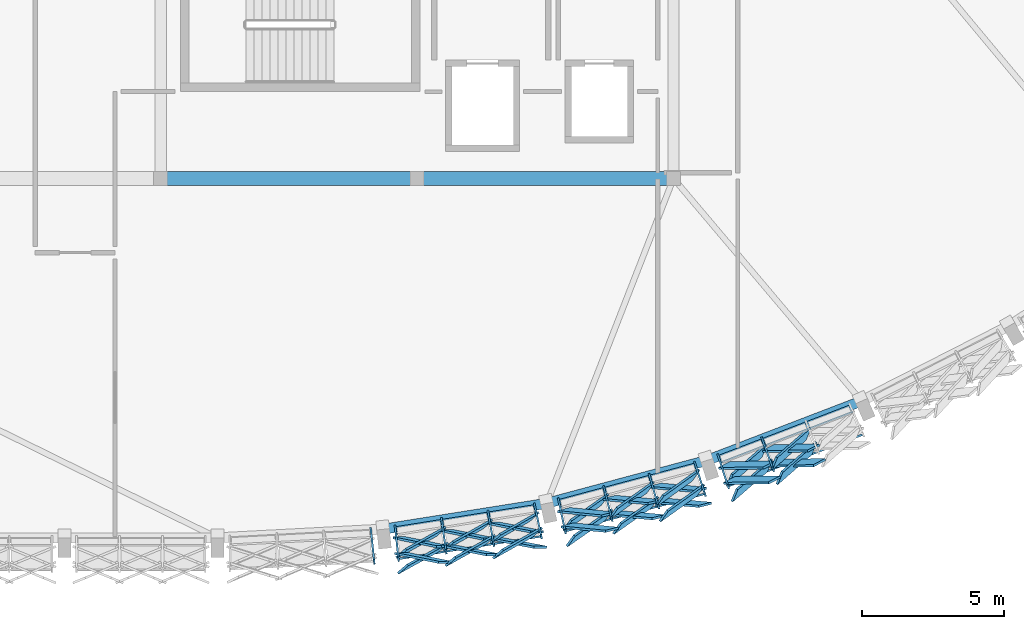
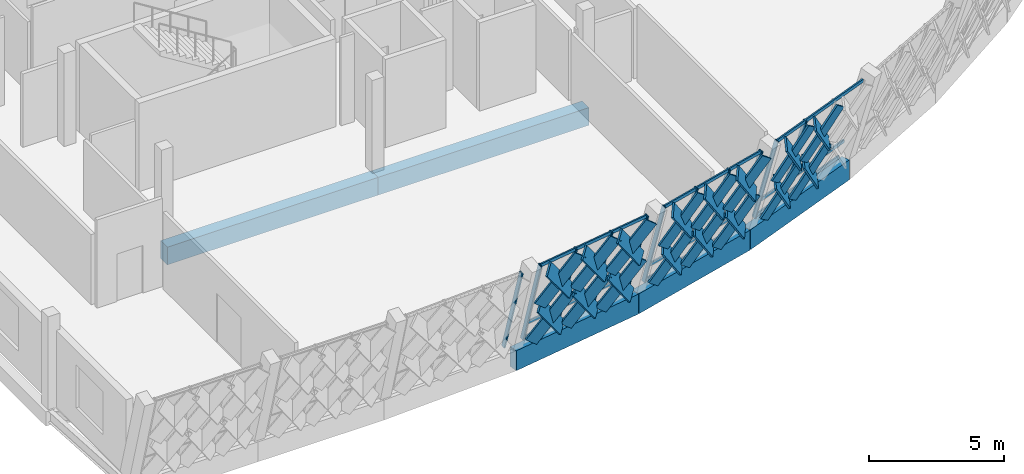
# One storey, part 4 of 24: 52 members, 5 beams, 4 elements without a shape of their own.
"""IFC4 building model written with IfcOpenShell, lengths in metres."""

from ifc_helpers import new_model, si_unit, direction, frame, origin, origin_2d, place, context, subcontext, project, spatial, rectangle, hollow_rectangle, extrude, material, material_profile, profile_set, type_object, element, aggregate, save


model = new_model("IFC4")

# Units and contexts
model_context = context("Model", 3, precision=1e-05, world=origin(), true_north=direction((0.0, 1.0)))
body_context = subcontext(model_context, "Body", "Model", "MODEL_VIEW")
ifc_project = project(units=[si_unit("LENGTHUNIT", "METRE"), si_unit("AREAUNIT", "SQUARE_METRE"), si_unit("VOLUMEUNIT", "CUBIC_METRE"), si_unit("PLANEANGLEUNIT", "RADIAN"), si_unit("MASSUNIT", "GRAM", prefix="KILO")], contexts=[model_context])

# Site, building, storey
site_placement = place(None, origin())
site = spatial("IfcSite", under=ifc_project, at=site_placement, CompositionType="ELEMENT")
building_placement = place(site_placement, origin())
building = spatial("IfcBuilding", under=site, at=building_placement, Name="Chiffa Square Polytechnic", CompositionType="ELEMENT")
storey_placement = place(building_placement, frame((0.0, 0.0, 22.199951171875)))
storey = spatial("IfcBuildingStorey", under=building, at=storey_placement, Name="L05", CompositionType="ELEMENT", Elevation=22.199951171875)

# Beams
ifc_material_1 = material(Name="Concrete C40/50", Category="concrete")
ifc_material_profile_1 = material_profile(ifc_material_1, rectangle(XDim=0.5, YDim=0.800048828125, at=origin_2d()), Name="RC 500x800")
ifc_profile_set_1 = profile_set([ifc_material_profile_1], Name="Concrete C40/50")
beam_type_1 = type_object("IfcBeamType", Name="BM-RC-500X800", PredefinedType="BEAM", material=ifc_profile_set_1)
for number, where, z_axis, x_axis, name in (
    (1, (121.199951171875, 14.39990234375, -0.659912109375), (1.0, 0.0, 0.0), (0.0, 1.0, 0.0), "Primary floor girder BM-V1-L05-X-1212-0144"),
    (2, (130.199951171875, 14.39990234375, -0.659912109375), (1.0, 0.0, 0.0), (0.0, 1.0, 0.0), "Primary floor girder BM-V1-L05-X-1302-0144"),
):
    element("IfcBeam", number, at=place(storey_placement, frame(where, z_axis=z_axis, x_axis=x_axis)), inside=storey, type_object=beam_type_1, Name=name, PredefinedType="BEAM", context=body_context, shape_type="SweptSolid", body=[
        extrude(rectangle(XDim=0.5, YDim=0.800048828125, at=origin_2d()), origin(), (0.0, 0.0, 1.0), 9.0),
    ])

# Curtain wall, member
ifc_material_2 = material(Name="Aluminium EN AW-6060 T66 and glulam shading", Category="wood")
curtain_wall_type_1 = type_object("IfcCurtainWallType", Name="CW-PROW-LEAN-150", PredefinedType="USERDEFINED", material=ifc_material_2)
curtain_wall_1_placement = place(storey_placement, origin())
curtain_wall_1 = element("IfcCurtainWall", 3, at=curtain_wall_1_placement, inside=storey, type_object=curtain_wall_type_1, Name="Outward-leaning diamond-fin prow curtain wall CW-V1-L05-080", ObjectType="CURTAIN WALL", PredefinedType="USERDEFINED")
ifc_material_3 = material(Name="Aluminium EN AW-6060 T66", Category="aluminium")
ifc_material_profile_2 = material_profile(ifc_material_3, hollow_rectangle(XDim=0.06494140625, YDim=0.179931640625, WallThickness=0.00390625, at=origin_2d()), Name="ALU 65x180x4")
ifc_profile_set_2 = profile_set([ifc_material_profile_2], Name="Aluminium EN AW-6060 T66")
member_type_1 = type_object("IfcMemberType", Name="CWM-ALU-75X180", PredefinedType="MULLION", material=ifc_profile_set_2)
member_1_placement = place(storey_placement, frame((128.5791015625, 2.06689453125, 0.0), z_axis=(0.0285073221, -0.270967113373, 0.962166386888), x_axis=(0.994511386171, 0.104628403294, 0.0)))
member_1 = element("IfcMember", 4, at=member_1_placement, type_object=member_type_1, Name="Leaning prow mullion CW-V1-L05-080-M03", PredefinedType="MULLION", context=body_context, shape_type="SweptSolid", body=[
    extrude(hollow_rectangle(XDim=0.06494140625, YDim=0.179931640625, WallThickness=0.00390625, at=origin_2d()), origin(), (0.0, 0.0, 1.0), 4.136474609375),
])
aggregate(curtain_wall_1, [member_1])

# Curtain wall, members
curtain_wall_type_2 = type_object("IfcCurtainWallType", Name="CW-PROW-LEAN-300", PredefinedType="USERDEFINED", material=ifc_material_2)
curtain_wall_2_placement = place(storey_placement, origin())
curtain_wall_2 = element("IfcCurtainWall", 5, at=curtain_wall_2_placement, inside=storey, type_object=curtain_wall_type_2, Name="Outward-leaning diamond-fin prow curtain wall CW-V1-L05-081", ObjectType="CURTAIN WALL", PredefinedType="USERDEFINED")
member_2_placement = place(storey_placement, frame((129.43310546875, 2.156005859375, 0.0), z_axis=(0.028508689491, -0.270803038064, 0.962212538475), x_axis=(0.99450426512, 0.104696068015, 0.0)))
member_2 = element("IfcMember", 6, at=member_2_placement, type_object=member_type_1, Name="Leaning prow mullion CW-V1-L05-081-M00", PredefinedType="MULLION", context=body_context, shape_type="SweptSolid", body=[
    extrude(hollow_rectangle(XDim=0.06494140625, YDim=0.179931640625, WallThickness=0.00390625, at=origin_2d()), origin(), (0.0, 0.0, 1.0), 4.13623046875),
])
member_3_placement = place(storey_placement, frame((131.064697265625, 2.414794921875, 0.0), z_axis=(0.03783788705, -0.269351448686, 0.96229833804), x_axis=(0.99027667576, 0.139111845094, 0.0)))
member_3 = element("IfcMember", 7, at=member_3_placement, type_object=member_type_1, Name="Leaning prow mullion CW-V1-L05-081-M01", PredefinedType="MULLION", context=body_context, shape_type="SweptSolid", body=[
    extrude(hollow_rectangle(XDim=0.06494140625, YDim=0.179931640625, WallThickness=0.00390625, at=origin_2d()), origin(), (0.0, 0.0, 1.0), 4.135986328125),
])
member_4_placement = place(storey_placement, frame((132.6962890625, 2.67333984375, 0.0), z_axis=(0.047222694052, -0.267929760375, 0.962280448036), x_axis=(0.984820668556, 0.173574914044, 0.0)))
member_4 = element("IfcMember", 8, at=member_4_placement, type_object=member_type_1, Name="Leaning prow mullion CW-V1-L05-081-M02", PredefinedType="MULLION", context=body_context, shape_type="SweptSolid", body=[
    extrude(hollow_rectangle(XDim=0.06494140625, YDim=0.179931640625, WallThickness=0.00390625, at=origin_2d()), origin(), (0.0, 0.0, 1.0), 4.135986328125),
])
member_5_placement = place(storey_placement, frame((134.327880859375, 2.931884765625, 0.0), z_axis=(0.056603833215, -0.266374451824, 0.962206140846), x_axis=(0.978159401763, 0.207856163592, 0.0)))
member_5 = element("IfcMember", 9, at=member_5_placement, type_object=member_type_1, Name="Leaning prow mullion CW-V1-L05-081-M03", PredefinedType="MULLION", context=body_context, shape_type="SweptSolid", body=[
    extrude(hollow_rectangle(XDim=0.06494140625, YDim=0.179931640625, WallThickness=0.00390625, at=origin_2d()), origin(), (0.0, 0.0, 1.0), 4.13623046875),
])

curtain_wall_3_placement = place(storey_placement, origin())
curtain_wall_3 = element("IfcCurtainWall", 10, at=curtain_wall_3_placement, inside=storey, type_object=curtain_wall_type_1, Name="Outward-leaning diamond-fin prow curtain wall CW-V1-L05-082", ObjectType="CURTAIN WALL", PredefinedType="USERDEFINED")
member_6_placement = place(storey_placement, frame((135.16796875, 3.110107421875, 0.0), z_axis=(0.056602943187, -0.266429286285, 0.962191011303), x_axis=(0.978168762973, 0.207812105381, 0.0)))
member_6 = element("IfcMember", 11, at=member_6_placement, type_object=member_type_1, Name="Leaning prow mullion CW-V1-L05-082-M00", PredefinedType="MULLION", context=body_context, shape_type="SweptSolid", body=[
    extrude(hollow_rectangle(XDim=0.06494140625, YDim=0.179931640625, WallThickness=0.00390625, at=origin_2d()), origin(), (0.0, 0.0, 1.0), 4.136474609375),
])
member_7_placement = place(storey_placement, frame((136.763916015625, 3.53759765625, 0.0), z_axis=(0.065758940041, -0.2639212037, 0.962300036393), x_axis=(0.970333693343, 0.241769567073, 0.0)))
member_7 = element("IfcMember", 12, at=member_7_placement, type_object=member_type_1, Name="Leaning prow mullion CW-V1-L05-082-M01", PredefinedType="MULLION", context=body_context, shape_type="SweptSolid", body=[
    extrude(hollow_rectangle(XDim=0.06494140625, YDim=0.179931640625, WallThickness=0.00390625, at=origin_2d()), origin(), (0.0, 0.0, 1.0), 4.135986328125),
])
member_8_placement = place(storey_placement, frame((138.360107421875, 3.96533203125, 0.0), z_axis=(0.074909102074, -0.261443981943, 0.962307472034), x_axis=(0.961318915449, 0.275437729443, 0.0)))
member_8 = element("IfcMember", 13, at=member_8_placement, type_object=member_type_1, Name="Leaning prow mullion CW-V1-L05-082-M02", PredefinedType="MULLION", context=body_context, shape_type="SweptSolid", body=[
    extrude(hollow_rectangle(XDim=0.06494140625, YDim=0.179931640625, WallThickness=0.00390625, at=origin_2d()), origin(), (0.0, 0.0, 1.0), 4.135986328125),
])
member_9_placement = place(storey_placement, frame((139.9560546875, 4.39306640625, 0.0), z_axis=(0.084110460344, -0.258942168089, 0.96222366633), x_axis=(0.951083445359, 0.308934102949, 0.0)))
member_9 = element("IfcMember", 14, at=member_9_placement, type_object=member_type_1, Name="Leaning prow mullion CW-V1-L05-082-M03", PredefinedType="MULLION", context=body_context, shape_type="SweptSolid", body=[
    extrude(hollow_rectangle(XDim=0.06494140625, YDim=0.179931640625, WallThickness=0.00390625, at=origin_2d()), origin(), (0.0, 0.0, 1.0), 4.13623046875),
])

curtain_wall_4_placement = place(storey_placement, origin())
curtain_wall_4 = element("IfcCurtainWall", 15, at=curtain_wall_4_placement, inside=storey, type_object=curtain_wall_type_2, Name="Outward-leaning diamond-fin prow curtain wall CW-V1-L05-083", ObjectType="CURTAIN WALL", PredefinedType="USERDEFINED")
member_10_placement = place(storey_placement, frame((140.77197265625, 4.657958984375, 0.0), z_axis=(0.084169067216, -0.258940882101, 0.962218887624), x_axis=(0.951019729993, 0.309130188049, 0.0)))
member_10 = element("IfcMember", 16, at=member_10_placement, type_object=member_type_1, Name="Leaning prow mullion CW-V1-L05-083-M00", PredefinedType="MULLION", context=body_context, shape_type="SweptSolid", body=[
    extrude(hollow_rectangle(XDim=0.06494140625, YDim=0.179931640625, WallThickness=0.00390625, at=origin_2d()), origin(), (0.0, 0.0, 1.0), 4.13623046875),
])
member_11_placement = place(storey_placement, frame((142.314697265625, 5.25, 0.0), z_axis=(0.092974588918, -0.255488267199, 0.962331268919), x_axis=(0.939710984281, 0.341969685823, 0.0)))
member_11 = element("IfcMember", 17, at=member_11_placement, type_object=member_type_1, Name="Leaning prow mullion CW-V1-L05-083-M01", PredefinedType="MULLION", context=body_context, shape_type="SweptSolid", body=[
    extrude(hollow_rectangle(XDim=0.06494140625, YDim=0.179931640625, WallThickness=0.00390625, at=origin_2d()), origin(), (0.0, 0.0, 1.0), 4.1357421875),
])

# Member
ifc_material_4 = material(Name="Glulam GL28h", Category="wood")
ifc_material_profile_3 = material_profile(ifc_material_4, rectangle(XDim=0.080078125, YDim=0.580078125, at=origin_2d()), Name="GL28h 80x580")
ifc_profile_set_3 = profile_set([ifc_material_profile_3], Name="Glulam GL28h")
member_type_2 = type_object("IfcMemberType", Name="CWM-GL-80X580", PredefinedType="MULLION", material=ifc_profile_set_3)
member_12_placement = place(storey_placement, frame((129.5830078125, 1.7890625, 0.0400390625), z_axis=(0.61185317054, -0.126593682034, 0.78077508757), x_axis=(0.080509435449, 0.991949948876, 0.097742159424)))
member_12 = element("IfcMember", 18, at=member_12_placement, type_object=member_type_2, Name="Diamond glulam fin CW-V1-L05-081-DF01A", PredefinedType="MULLION", context=body_context, shape_type="SweptSolid", body=[
    extrude(rectangle(XDim=0.080078125, YDim=0.580078125, at=origin_2d()), origin(), (0.0, 0.0, 1.0), 2.49755859375),
])

member_13_placement = place(storey_placement, frame((131.034912109375, 2.01904296875, 0.0400390625), z_axis=(-0.552760060017, -0.309177449871, 0.773864084024), x_axis=(0.587805398803, -0.802912421224, 0.099078034812)))
member_13 = element("IfcMember", 19, at=member_13_placement, type_object=member_type_2, Name="Diamond glulam fin CW-V1-L05-081-DF01B", PredefinedType="MULLION", context=body_context, shape_type="SweptSolid", body=[
    extrude(rectangle(XDim=0.080078125, YDim=0.580078125, at=origin_2d()), origin(), (0.0, 0.0, 1.0), 2.519775390625),
])

member_14_placement = place(storey_placement, frame((129.64208984375, 1.239990234375, 1.989990234375), z_axis=(0.616144957155, -0.124825827287, 0.777678535524), x_axis=(0.076879851193, 0.992178341942, 0.098344426696)))
member_14 = element("IfcMember", 20, at=member_14_placement, type_object=member_type_2, Name="Diamond glulam fin CW-V1-L05-081-DF02A", PredefinedType="MULLION", context=body_context, shape_type="SweptSolid", body=[
    extrude(rectangle(XDim=0.080078125, YDim=0.580078125, at=origin_2d()), origin(), (0.0, 0.0, 1.0), 2.50732421875),
])

member_15_placement = place(storey_placement, frame((131.111083984375, 1.472900390625, 1.989990234375), z_axis=(-0.557577023179, -0.308982561461, 0.770478838085), x_axis=(0.584161618653, -0.805487931951, 0.099721586299)))
member_15 = element("IfcMember", 21, at=member_15_placement, type_object=member_type_2, Name="Diamond glulam fin CW-V1-L05-081-DF02B", PredefinedType="MULLION", context=body_context, shape_type="SweptSolid", body=[
    extrude(rectangle(XDim=0.080078125, YDim=0.580078125, at=origin_2d()), origin(), (0.0, 0.0, 1.0), 2.53076171875),
])

member_16_placement = place(storey_placement, frame((131.215087890625, 2.047119140625, 0.0400390625), z_axis=(0.61665774428, -0.124382670011, 0.777343024552), x_axis=(0.076085655893, 0.992233127416, 0.098409317778)))
member_16 = element("IfcMember", 22, at=member_16_placement, type_object=member_type_2, Name="Diamond glulam fin CW-V1-L05-081-DF03A", PredefinedType="MULLION", context=body_context, shape_type="SweptSolid", body=[
    extrude(rectangle(XDim=0.080078125, YDim=0.580078125, at=origin_2d()), origin(), (0.0, 0.0, 1.0), 2.508544921875),
])

member_17_placement = place(storey_placement, frame((132.6669921875, 2.278076171875, 0.0400390625), z_axis=(-0.547745089017, -0.309396168796, 0.777334759413), x_axis=(0.591641148743, -0.800172508173, 0.098410915443)))
member_17 = element("IfcMember", 23, at=member_17_placement, type_object=member_type_2, Name="Diamond glulam fin CW-V1-L05-081-DF03B", PredefinedType="MULLION", context=body_context, shape_type="SweptSolid", body=[
    extrude(rectangle(XDim=0.080078125, YDim=0.580078125, at=origin_2d()), origin(), (0.0, 0.0, 1.0), 2.508544921875),
])

member_18_placement = place(storey_placement, frame((131.29296875, 1.501953125, 1.989990234375), z_axis=(0.620912803165, -0.123096980958, 0.774154005444), x_axis=(0.073280250603, 0.992383258069, 0.099022593262)))
member_18 = element("IfcMember", 24, at=member_18_placement, type_object=member_type_2, Name="Diamond glulam fin CW-V1-L05-081-DF04A", PredefinedType="MULLION", context=body_context, shape_type="SweptSolid", body=[
    extrude(rectangle(XDim=0.080078125, YDim=0.580078125, at=origin_2d()), origin(), (0.0, 0.0, 1.0), 2.518798828125),
])

member_19_placement = place(storey_placement, frame((132.761962890625, 1.735107421875, 1.989990234375), z_axis=(-0.552490828758, -0.309243682611, 0.774029863057), x_axis=(0.588067973548, -0.802724037985, 0.0990463393)))
member_19 = element("IfcMember", 25, at=member_19_placement, type_object=member_type_2, Name="Diamond glulam fin CW-V1-L05-081-DF04B", PredefinedType="MULLION", context=body_context, shape_type="SweptSolid", body=[
    extrude(rectangle(XDim=0.080078125, YDim=0.580078125, at=origin_2d()), origin(), (0.0, 0.0, 1.0), 2.519287109375),
])

member_20_placement = place(storey_placement, frame((132.846923828125, 2.305908203125, 0.0400390625), z_axis=(0.621455796674, -0.122934903504, 0.773743951369), x_axis=(0.072928707462, 0.992401328547, 0.099100992558)))
member_20 = element("IfcMember", 26, at=member_20_placement, type_object=member_type_2, Name="Diamond glulam fin CW-V1-L05-081-DF05A", PredefinedType="MULLION", context=body_context, shape_type="SweptSolid", body=[
    extrude(rectangle(XDim=0.080078125, YDim=0.580078125, at=origin_2d()), origin(), (0.0, 0.0, 1.0), 2.520263671875),
])

member_21_placement = place(storey_placement, frame((134.299072265625, 2.535888671875, 0.0400390625), z_axis=(-0.542611894301, -0.309533199524, 0.780872288249), x_axis=(0.59550313859, -0.797387106019, 0.097723155317)))
member_21 = element("IfcMember", 27, at=member_21_placement, type_object=member_type_2, Name="Diamond glulam fin CW-V1-L05-081-DF05B", PredefinedType="MULLION", context=body_context, shape_type="SweptSolid", body=[
    extrude(rectangle(XDim=0.080078125, YDim=0.580078125, at=origin_2d()), origin(), (0.0, 0.0, 1.0), 2.4970703125),
])

member_22_placement = place(storey_placement, frame((132.944091796875, 1.762939453125, 1.989990234375), z_axis=(0.625621410597, -0.121284101345, 0.770641302659), x_axis=(0.069623942357, 0.992579588269, 0.099690860174)))
member_22 = element("IfcMember", 28, at=member_22_placement, type_object=member_type_2, Name="Diamond glulam fin CW-V1-L05-081-DF06A", PredefinedType="MULLION", context=body_context, shape_type="SweptSolid", body=[
    extrude(rectangle(XDim=0.080078125, YDim=0.580078125, at=origin_2d()), origin(), (0.0, 0.0, 1.0), 2.5302734375),
])

member_23_placement = place(storey_placement, frame((134.4130859375, 1.99609375, 1.989990234375), z_axis=(-0.54753844192, -0.309109984548, 0.777594156404), x_axis=(0.59148869902, -0.800291372677, 0.098360753103)))
member_23 = element("IfcMember", 29, at=member_23_placement, type_object=member_type_2, Name="Diamond glulam fin CW-V1-L05-081-DF06B", PredefinedType="MULLION", context=body_context, shape_type="SweptSolid", body=[
    extrude(rectangle(XDim=0.080078125, YDim=0.580078125, at=origin_2d()), origin(), (0.0, 0.0, 1.0), 2.507568359375),
])

member_24_placement = place(storey_placement, frame((135.35498046875, 2.760009765625, 0.0400390625), z_axis=(0.621799371198, -0.061681402802, 0.780743841811), x_axis=(-0.10573427989, 0.981155341823, 0.161723397404)))
member_24 = element("IfcMember", 30, at=member_24_placement, type_object=member_type_2, Name="Diamond glulam fin CW-V1-L05-082-DF01A", PredefinedType="MULLION", context=body_context, shape_type="SweptSolid", body=[
    extrude(rectangle(XDim=0.080078125, YDim=0.580078125, at=origin_2d()), origin(), (0.0, 0.0, 1.0), 2.49755859375),
])

member_25_placement = place(storey_placement, frame((136.77587890625, 3.14111328125, 0.0400390625), z_axis=(-0.517770432586, -0.365103229264, 0.773701112266), x_axis=(0.720298118808, -0.67400505707, 0.163975007503)))
member_25 = element("IfcMember", 31, at=member_25_placement, type_object=member_type_2, Name="Diamond glulam fin CW-V1-L05-082-DF01B", PredefinedType="MULLION", context=body_context, shape_type="SweptSolid", body=[
    extrude(rectangle(XDim=0.080078125, YDim=0.580078125, at=origin_2d()), origin(), (0.0, 0.0, 1.0), 2.520263671875),
])

member_26_placement = place(storey_placement, frame((135.470947265625, 2.220947265625, 1.989990234375), z_axis=(0.625795615254, -0.059785048664, 0.777692481567), x_axis=(-0.108508375155, 0.980690026034, 0.162705271454)))
member_26 = element("IfcMember", 32, at=member_26_placement, type_object=member_type_2, Name="Diamond glulam fin CW-V1-L05-082-DF02A", PredefinedType="MULLION", context=body_context, shape_type="SweptSolid", body=[
    extrude(rectangle(XDim=0.080078125, YDim=0.580078125, at=origin_2d()), origin(), (0.0, 0.0, 1.0), 2.50732421875),
])

member_27_placement = place(storey_placement, frame((136.907958984375, 2.60595703125, 1.989990234375), z_axis=(-0.522058985372, -0.365566715131, 0.770594181513), x_axis=(0.717422479224, -0.676827730608, 0.164952142708)))
member_27 = element("IfcMember", 33, at=member_27_placement, type_object=member_type_2, Name="Diamond glulam fin CW-V1-L05-082-DF02B", PredefinedType="MULLION", context=body_context, shape_type="SweptSolid", body=[
    extrude(rectangle(XDim=0.080078125, YDim=0.580078125, at=origin_2d()), origin(), (0.0, 0.0, 1.0), 2.530517578125),
])

member_28_placement = place(storey_placement, frame((136.951904296875, 3.18798828125, 0.0400390625), z_axis=(0.626283692932, -0.059367995756, 0.777331446068), x_axis=(-0.109134876217, 0.980601328524, 0.162820801159)))
member_28 = element("IfcMember", 34, at=member_28_placement, type_object=member_type_2, Name="Diamond glulam fin CW-V1-L05-082-DF03A", PredefinedType="MULLION", context=body_context, shape_type="SweptSolid", body=[
    extrude(rectangle(XDim=0.080078125, YDim=0.580078125, at=origin_2d()), origin(), (0.0, 0.0, 1.0), 2.508544921875),
])

member_29_placement = place(storey_placement, frame((138.3720703125, 3.569091796875, 0.0400390625), z_axis=(-0.512589383456, -0.365078847138, 0.777154784673), x_axis=(0.724194660644, -0.67008438596, 0.162877282603)))
member_29 = element("IfcMember", 35, at=member_29_placement, type_object=member_type_2, Name="Diamond glulam fin CW-V1-L05-082-DF03B", PredefinedType="MULLION", context=body_context, shape_type="SweptSolid", body=[
    extrude(rectangle(XDim=0.080078125, YDim=0.580078125, at=origin_2d()), origin(), (0.0, 0.0, 1.0), 2.509033203125),
])

member_30_placement = place(storey_placement, frame((137.0859375, 2.653076171875, 1.989990234375), z_axis=(0.630468900948, -0.057183190094, 0.774105320811), x_axis=(-0.112283349703, 0.980074770616, 0.163847164703)))
member_30 = element("IfcMember", 36, at=member_30_placement, type_object=member_type_2, Name="Diamond glulam fin CW-V1-L05-082-DF04A", PredefinedType="MULLION", context=body_context, shape_type="SweptSolid", body=[
    extrude(rectangle(XDim=0.080078125, YDim=0.580078125, at=origin_2d()), origin(), (0.0, 0.0, 1.0), 2.51904296875),
])

member_31_placement = place(storey_placement, frame((138.52294921875, 3.0390625, 1.989990234375), z_axis=(-0.517202886928, -0.365249705983, 0.774011515439), x_axis=(0.720839150137, -0.673450293816, 0.163876848239)))
member_31 = element("IfcMember", 37, at=member_31_placement, type_object=member_type_2, Name="Diamond glulam fin CW-V1-L05-082-DF04B", PredefinedType="MULLION", context=body_context, shape_type="SweptSolid", body=[
    extrude(rectangle(XDim=0.080078125, YDim=0.580078125, at=origin_2d()), origin(), (0.0, 0.0, 1.0), 2.519287109375),
])

member_32_placement = place(storey_placement, frame((138.548095703125, 3.615966796875, 0.0400390625), z_axis=(0.630863386924, -0.057544971105, 0.773757044129), x_axis=(-0.111691264923, 0.980124000397, 0.163957327334)))
member_32 = element("IfcMember", 38, at=member_32_placement, type_object=member_type_2, Name="Diamond glulam fin CW-V1-L05-082-DF05A", PredefinedType="MULLION", context=body_context, shape_type="SweptSolid", body=[
    extrude(rectangle(XDim=0.080078125, YDim=0.580078125, at=origin_2d()), origin(), (0.0, 0.0, 1.0), 2.52001953125),
])

member_33_placement = place(storey_placement, frame((139.968994140625, 3.99609375, 0.0400390625), z_axis=(-0.507686272086, -0.36439245713, 0.78068738066), x_axis=(0.727383097198, -0.666898393332, 0.161741654752)))
member_33 = element("IfcMember", 39, at=member_33_placement, type_object=member_type_2, Name="Diamond glulam fin CW-V1-L05-082-DF05B", PredefinedType="MULLION", context=body_context, shape_type="SweptSolid", body=[
    extrude(rectangle(XDim=0.080078125, YDim=0.580078125, at=origin_2d()), origin(), (0.0, 0.0, 1.0), 2.497802734375),
])

member_34_placement = place(storey_placement, frame((138.700927734375, 3.0859375, 1.989990234375), z_axis=(0.635049733315, -0.055276241408, 0.770490994985), x_axis=(-0.114906791755, 0.979579791317, 0.164984428515)))
member_34 = element("IfcMember", 40, at=member_34_placement, type_object=member_type_2, Name="Diamond glulam fin CW-V1-L05-082-DF06A", PredefinedType="MULLION", context=body_context, shape_type="SweptSolid", body=[
    extrude(rectangle(XDim=0.080078125, YDim=0.580078125, at=origin_2d()), origin(), (0.0, 0.0, 1.0), 2.53076171875),
])

member_35_placement = place(storey_placement, frame((140.137939453125, 3.470947265625, 1.989990234375), z_axis=(-0.512088844417, -0.364567528712, 0.777724586491), x_axis=(0.724180357959, -0.670144125469, 0.162694991455)))
member_35 = element("IfcMember", 41, at=member_35_placement, type_object=member_type_2, Name="Diamond glulam fin CW-V1-L05-082-DF06B", PredefinedType="MULLION", context=body_context, shape_type="SweptSolid", body=[
    extrude(rectangle(XDim=0.080078125, YDim=0.580078125, at=origin_2d()), origin(), (0.0, 0.0, 1.0), 2.50732421875),
])

member_36_placement = place(storey_placement, frame((140.9951171875, 4.330078125, 0.0400390625), z_axis=(0.624655189734, 0.003617505403, 0.780892314979), x_axis=(-0.285248548792, 0.931944149163, 0.223860153339)))
member_36 = element("IfcMember", 42, at=member_36_placement, type_object=member_type_2, Name="Diamond glulam fin CW-V1-L05-083-DF01A", PredefinedType="MULLION", context=body_context, shape_type="SweptSolid", body=[
    extrude(rectangle(XDim=0.080078125, YDim=0.580078125, at=origin_2d()), origin(), (0.0, 0.0, 1.0), 2.4970703125),
])

member_37_placement = place(storey_placement, frame((142.367919921875, 4.85693359375, 0.0400390625), z_axis=(-0.476826341529, -0.417356227026, 0.77359577286), x_axis=(0.823487544243, -0.519902126101, 0.227090386746)))
member_37 = element("IfcMember", 43, at=member_37_placement, type_object=member_type_2, Name="Diamond glulam fin CW-V1-L05-083-DF01B", PredefinedType="MULLION", context=body_context, shape_type="SweptSolid", body=[
    extrude(rectangle(XDim=0.080078125, YDim=0.580078125, at=origin_2d()), origin(), (0.0, 0.0, 1.0), 2.520751953125),
])

member_38_placement = place(storey_placement, frame((141.166015625, 3.804931640625, 1.989990234375), z_axis=(0.628794613407, 0.006035805238, 0.77754800701), x_axis=(-0.287596482582, 0.930862794749, 0.225350217569)))
member_38 = element("IfcMember", 44, at=member_38_placement, type_object=member_type_2, Name="Diamond glulam fin CW-V1-L05-083-DF02A", PredefinedType="MULLION", context=body_context, shape_type="SweptSolid", body=[
    extrude(rectangle(XDim=0.080078125, YDim=0.580078125, at=origin_2d()), origin(), (0.0, 0.0, 1.0), 2.5078125),
])

member_39_placement = place(storey_placement, frame((142.554931640625, 4.339111328125, 1.989990234375), z_axis=(-0.480961774424, -0.418152122438, 0.770600138881), x_axis=(0.82093946608, -0.523349083378, 0.228394680237)))
member_39 = element("IfcMember", 45, at=member_39_placement, type_object=member_type_2, Name="Diamond glulam fin CW-V1-L05-083-DF02B", PredefinedType="MULLION", context=body_context, shape_type="SweptSolid", body=[
    extrude(rectangle(XDim=0.080078125, YDim=0.580078125, at=origin_2d()), origin(), (0.0, 0.0, 1.0), 2.530517578125),
])

member_40_placement = place(storey_placement, frame((142.5380859375, 4.922119140625, 0.0400390625), z_axis=(0.629028833931, 0.006326299583, 0.777356227233), x_axis=(-0.287954245322, 0.930731612787, 0.225435173743)))
member_40 = element("IfcMember", 46, at=member_40_placement, type_object=member_type_2, Name="Diamond glulam fin CW-V1-L05-083-DF03A", PredefinedType="MULLION", context=body_context, shape_type="SweptSolid", body=[
    extrude(rectangle(XDim=0.080078125, YDim=0.580078125, at=origin_2d()), origin(), (0.0, 0.0, 1.0), 2.508544921875),
])

member_41_placement = place(storey_placement, frame((143.910888671875, 5.448974609375, 0.0400390625), z_axis=(-0.471815467428, -0.416450855969, 0.777147894071), x_axis=(0.82659844838, -0.515628156416, 0.225527402871)))
member_41 = element("IfcMember", 47, at=member_41_placement, type_object=member_type_2, Name="Diamond glulam fin CW-V1-L05-083-DF03B", PredefinedType="MULLION", context=body_context, shape_type="SweptSolid", body=[
    extrude(rectangle(XDim=0.080078125, YDim=0.580078125, at=origin_2d()), origin(), (0.0, 0.0, 1.0), 2.509033203125),
])

member_42_placement = place(storey_placement, frame((142.72705078125, 4.404052734375, 1.989990234375), z_axis=(0.63310596583, 0.009109438357, 0.774011533611), x_axis=(-0.290783639406, 0.929493123173, 0.226908371437)))
member_42 = element("IfcMember", 48, at=member_42_placement, type_object=member_type_2, Name="Diamond glulam fin CW-V1-L05-083-DF04A", PredefinedType="MULLION", context=body_context, shape_type="SweptSolid", body=[
    extrude(rectangle(XDim=0.080078125, YDim=0.580078125, at=origin_2d()), origin(), (0.0, 0.0, 1.0), 2.519287109375),
])

member_43_placement = place(storey_placement, frame((144.115966796875, 4.93798828125, 1.989990234375), z_axis=(-0.476004596426, -0.417267315743, 0.774149605305), x_axis=(0.824026132332, -0.519154097096, 0.226847871276)))
member_43 = element("IfcMember", 49, at=member_43_placement, type_object=member_type_2, Name="Diamond glulam fin CW-V1-L05-083-DF04B", PredefinedType="MULLION", context=body_context, shape_type="SweptSolid", body=[
    extrude(rectangle(XDim=0.080078125, YDim=0.580078125, at=origin_2d()), origin(), (0.0, 0.0, 1.0), 2.518798828125),
])

ifc_material_profile_4 = material_profile(ifc_material_3, hollow_rectangle(XDim=0.06494140625, YDim=0.139892578125, WallThickness=0.00390625, at=origin_2d()), Name="ALU 65x140x4")
ifc_profile_set_4 = profile_set([ifc_material_profile_4], Name="Aluminium EN AW-6060 T66")
member_type_3 = type_object("IfcMemberType", Name="CWT-ALU-75X140", PredefinedType="USERDEFINED", material=ifc_profile_set_4)
member_44_placement = place(storey_placement, frame((129.43408203125, 2.144775390625, 0.0400390625), z_axis=(0.987668548313, 0.156559377466, 0.0), x_axis=(-0.156559377466, 0.987668548313, 0.0)))
member_44 = element("IfcMember", 50, at=member_44_placement, type_object=member_type_3, Name="Leaning prow transom CW-V1-L05-081-T01", ObjectType="TRANSOM", PredefinedType="USERDEFINED", context=body_context, shape_type="SweptSolid", body=[
    extrude(hollow_rectangle(XDim=0.06494140625, YDim=0.139892578125, WallThickness=0.00390625, at=origin_2d()), origin(), (0.0, 0.0, 1.0), 4.957275390625),
])

member_45_placement = place(storey_placement, frame((129.458251953125, 1.916748046875, 0.85009765625), z_axis=(0.987670195548, 0.156548985389, 0.0), x_axis=(-0.156548985389, 0.987670195548, 0.0)))
member_45 = element("IfcMember", 51, at=member_45_placement, type_object=member_type_3, Name="Leaning prow transom CW-V1-L05-081-T02", ObjectType="TRANSOM", PredefinedType="USERDEFINED", context=body_context, shape_type="SweptSolid", body=[
    extrude(hollow_rectangle(XDim=0.06494140625, YDim=0.139892578125, WallThickness=0.00390625, at=origin_2d()), origin(), (0.0, 0.0, 1.0), 4.981201171875),
])

member_46_placement = place(storey_placement, frame((129.5498046875, 1.04736328125, 3.93994140625), z_axis=(0.987681264979, 0.156479132186, 0.0), x_axis=(-0.156479132186, 0.987681264979, 0.0)))
member_46 = element("IfcMember", 52, at=member_46_placement, type_object=member_type_3, Name="Leaning prow transom CW-V1-L05-081-T03", ObjectType="TRANSOM", PredefinedType="USERDEFINED", context=body_context, shape_type="SweptSolid", body=[
    extrude(hollow_rectangle(XDim=0.06494140625, YDim=0.139892578125, WallThickness=0.00390625, at=origin_2d()), origin(), (0.0, 0.0, 1.0), 5.072265625),
])

aggregate(curtain_wall_2, [member_2, member_3, member_4, member_5, member_44, member_45, member_46, member_12, member_13, member_14, member_15, member_16, member_17, member_18, member_19, member_20, member_21, member_22, member_23])

member_47_placement = place(storey_placement, frame((135.17041015625, 3.098876953125, 0.0400390625), z_axis=(0.965926950947, 0.258814847786, 0.0), x_axis=(-0.258814847786, 0.965926950947, 0.0)))
member_47 = element("IfcMember", 53, at=member_47_placement, type_object=member_type_3, Name="Leaning prow transom CW-V1-L05-082-T01", ObjectType="TRANSOM", PredefinedType="USERDEFINED", context=body_context, shape_type="SweptSolid", body=[
    extrude(hollow_rectangle(XDim=0.06494140625, YDim=0.139892578125, WallThickness=0.00390625, at=origin_2d()), origin(), (0.0, 0.0, 1.0), 4.9580078125),
])

member_48_placement = place(storey_placement, frame((135.218017578125, 2.87451171875, 0.85009765625), z_axis=(0.965908017748, 0.258885498339, 0.0), x_axis=(-0.258885498339, 0.965908017748, 0.0)))
member_48 = element("IfcMember", 54, at=member_48_placement, type_object=member_type_3, Name="Leaning prow transom CW-V1-L05-082-T02", ObjectType="TRANSOM", PredefinedType="USERDEFINED", context=body_context, shape_type="SweptSolid", body=[
    extrude(hollow_rectangle(XDim=0.06494140625, YDim=0.139892578125, WallThickness=0.00390625, at=origin_2d()), origin(), (0.0, 0.0, 1.0), 4.982177734375),
])

member_49_placement = place(storey_placement, frame((135.399658203125, 2.01904296875, 3.93994140625), z_axis=(0.965899502396, 0.258917267231, 0.0), x_axis=(-0.258917267231, 0.965899502396, 0.0)))
member_49 = element("IfcMember", 55, at=member_49_placement, type_object=member_type_3, Name="Leaning prow transom CW-V1-L05-082-T03", ObjectType="TRANSOM", PredefinedType="USERDEFINED", context=body_context, shape_type="SweptSolid", body=[
    extrude(hollow_rectangle(XDim=0.06494140625, YDim=0.139892578125, WallThickness=0.00390625, at=origin_2d()), origin(), (0.0, 0.0, 1.0), 5.073974609375),
])

aggregate(curtain_wall_3, [member_6, member_7, member_8, member_9, member_47, member_48, member_49, member_24, member_25, member_26, member_27, member_28, member_29, member_30, member_31, member_32, member_33, member_34, member_35])

member_50_placement = place(storey_placement, frame((140.775390625, 4.647216796875, 0.0400390625), z_axis=(0.93362071465, 0.35826297768, 0.0), x_axis=(-0.35826297768, 0.93362071465, 0.0)))
member_50 = element("IfcMember", 56, at=member_50_placement, type_object=member_type_3, Name="Leaning prow transom CW-V1-L05-083-T01", ObjectType="TRANSOM", PredefinedType="USERDEFINED", context=body_context, shape_type="SweptSolid", body=[
    extrude(hollow_rectangle(XDim=0.06494140625, YDim=0.139892578125, WallThickness=0.00390625, at=origin_2d()), origin(), (0.0, 0.0, 1.0), 4.958251953125),
])

member_51_placement = place(storey_placement, frame((140.84619140625, 4.42919921875, 0.85009765625), z_axis=(0.933592909015, 0.358335429782, 0.0), x_axis=(-0.358335429782, 0.933592909015, 0.0)))
member_51 = element("IfcMember", 57, at=member_51_placement, type_object=member_type_3, Name="Leaning prow transom CW-V1-L05-083-T02", ObjectType="TRANSOM", PredefinedType="USERDEFINED", context=body_context, shape_type="SweptSolid", body=[
    extrude(hollow_rectangle(XDim=0.06494140625, YDim=0.139892578125, WallThickness=0.00390625, at=origin_2d()), origin(), (0.0, 0.0, 1.0), 4.982421875),
])

member_52_placement = place(storey_placement, frame((141.116455078125, 3.597900390625, 3.93994140625), z_axis=(0.933582259562, 0.358363174211, 0.0), x_axis=(-0.358363174211, 0.933582259562, 0.0)))
member_52 = element("IfcMember", 58, at=member_52_placement, type_object=member_type_3, Name="Leaning prow transom CW-V1-L05-083-T03", ObjectType="TRANSOM", PredefinedType="USERDEFINED", context=body_context, shape_type="SweptSolid", body=[
    extrude(hollow_rectangle(XDim=0.06494140625, YDim=0.139892578125, WallThickness=0.00390625, at=origin_2d()), origin(), (0.0, 0.0, 1.0), 5.073974609375),
])

aggregate(curtain_wall_4, [member_10, member_11, member_50, member_51, member_52, member_36, member_37, member_38, member_39, member_40, member_41, member_42, member_43])

# Beams
ifc_material_5 = material(Name="Glulam GL32c", Category="wood")
ifc_material_profile_5 = material_profile(ifc_material_5, rectangle(XDim=0.360107421875, YDim=0.89990234375, at=origin_2d()), Name="GL32c 360x900")
ifc_profile_set_5 = profile_set([ifc_material_profile_5], Name="Glulam GL32c")
beam_type_2 = type_object("IfcBeamType", Name="RB-GL-360X900", PredefinedType="SPANDREL", material=ifc_profile_set_5)
beam_placement = place(storey_placement, frame((129.008056640625, 2.089111328125, -0.7099609375), z_axis=(0.987687979135, 0.156436747195, 0.0), x_axis=(-0.156436747195, 0.987687979135, 0.0)))
element("IfcBeam", 59, at=beam_placement, inside=storey, type_object=beam_type_2, Name="Prow perimeter edge beam RB-V1-PROW-L05-04", PredefinedType="SPANDREL", context=body_context, shape_type="SweptSolid", body=[
    extrude(rectangle(XDim=0.360107421875, YDim=0.89990234375, at=origin_2d()), origin(), (0.0, 0.0, 1.0), 5.81640625),
])
for number, where, z_axis, x_axis, name in (
    (60, (134.7529296875, 2.9990234375, -0.7099609375), (0.965947302154, 0.258738882778, 0.0), (-0.258738882778, 0.965947302154, 0.0), "Prow perimeter edge beam RB-V1-PROW-L05-05"),
    (61, (140.37109375, 4.50390625, -0.7099609375), (0.93360177164, 0.358312338596, 0.0), (-0.358312338596, 0.93360177164, 0.0), "Prow perimeter edge beam RB-V1-PROW-L05-06"),
):
    element("IfcBeam", number, at=place(storey_placement, frame(where, z_axis=z_axis, x_axis=x_axis)), inside=storey, type_object=beam_type_2, Name=name, PredefinedType="SPANDREL", context=body_context, shape_type="SweptSolid", body=[
        extrude(rectangle(XDim=0.360107421875, YDim=0.89990234375, at=origin_2d()), origin(), (0.0, 0.0, 1.0), 5.816162109375),
    ])

save(model, "model.ifc")
